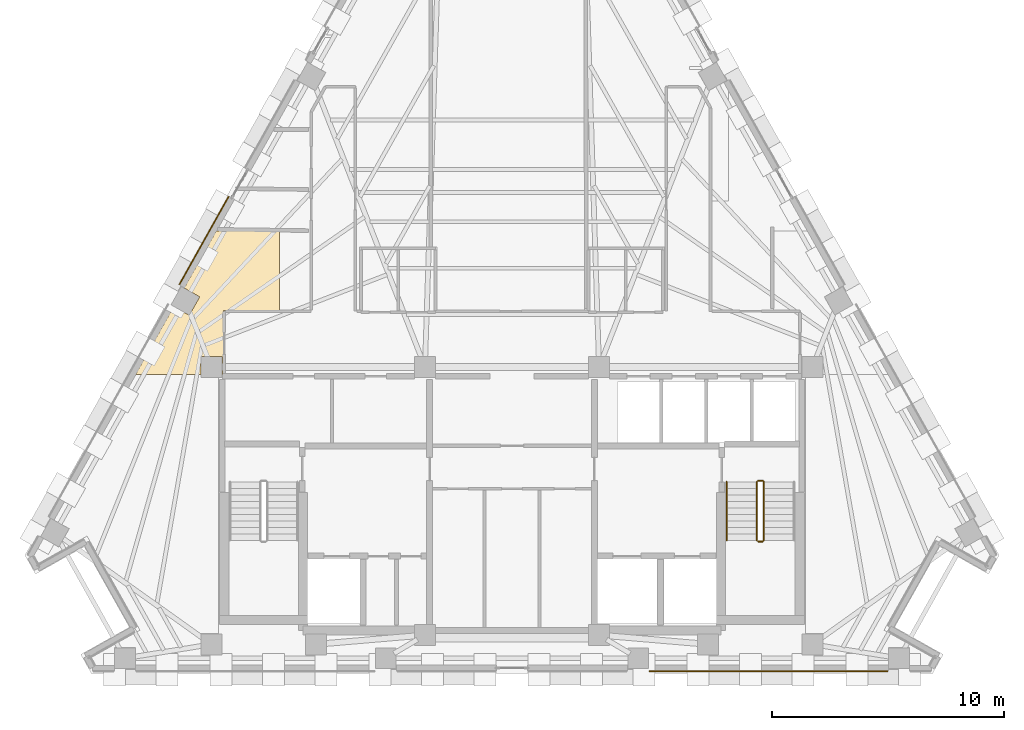
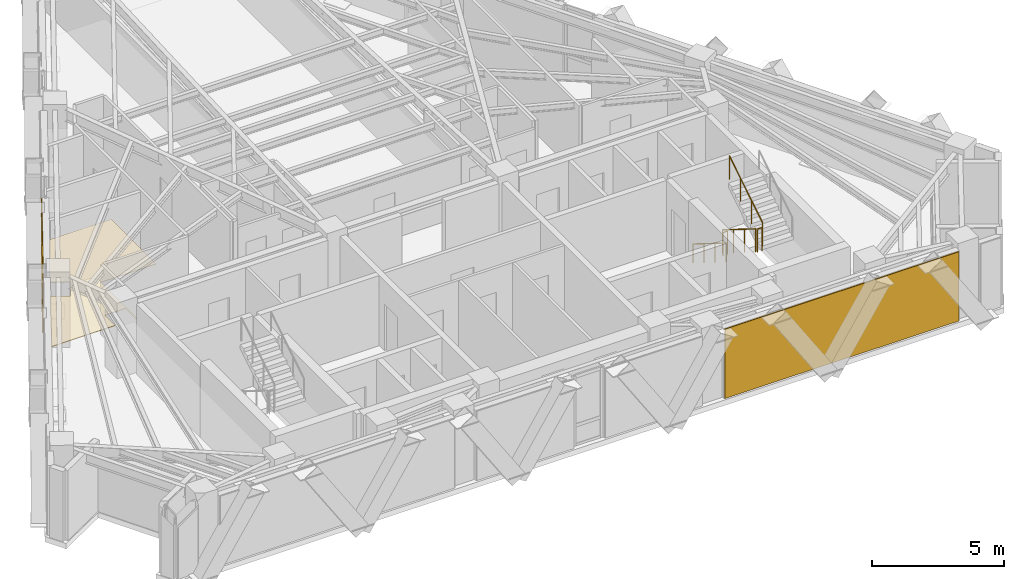
# One storey, part 11 of 12: 5 railings, 3 coverings.
"""IFC4 building model written with IfcOpenShell, lengths in metres."""

from ifc_helpers import new_model, si_unit, direction, frame, origin, origin_2d, place, context, subcontext, project, spatial, polyline, circle, outline, extrude, material, layer, layer_set, type_object, element, save


model = new_model("IFC4")

# Units and contexts
model_context = context("Model", 3, precision=1e-05, world=origin(), true_north=direction((0.0, 1.0)))
body_context = subcontext(model_context, "Body", "Model", "MODEL_VIEW")
ifc_project = project(units=[si_unit("LENGTHUNIT", "METRE"), si_unit("AREAUNIT", "SQUARE_METRE"), si_unit("VOLUMEUNIT", "CUBIC_METRE"), si_unit("PLANEANGLEUNIT", "RADIAN"), si_unit("MASSUNIT", "GRAM", prefix="KILO")], contexts=[model_context])

# Site, building, storey
site_placement = place(None, origin())
site = spatial("IfcSite", under=ifc_project, at=site_placement, CompositionType="ELEMENT")
building_placement = place(site_placement, origin())
building = spatial("IfcBuilding", under=site, at=building_placement, Name="Quenlor Broadcast Tower", CompositionType="ELEMENT")
storey_placement = place(building_placement, frame((0.0, 0.0, 200.89990234375)))
storey = spatial("IfcBuildingStorey", under=building, at=storey_placement, Name="L55", CompositionType="ELEMENT", Elevation=200.89990234375)

# Coverings
ifc_material_1 = material(Name="Acoustic Mineral Fibre Board", Category="other")
ifc_layer_1 = layer(ifc_material_1, 0.02490234375)
ifc_layer_set_1 = layer_set([ifc_layer_1], Name="Acoustic Perforated Mineral Tile Ceiling 25")
covering_type_1 = type_object("IfcCoveringType", Name="Acoustic Perforated Mineral Tile Ceiling 25", PredefinedType="CEILING", material=ifc_layer_set_1)
covering_1_placement = place(storey_placement, frame((0.0, 0.0, 2.375)))
element("IfcCovering", 1, at=covering_1_placement, inside=storey, type_object=covering_type_1, Name="L55 Acoustic Ceiling L55-32", PredefinedType="CEILING", context=body_context, shape_type="SweptSolid", body=[
    extrude(outline(polyline([(-12.491943359375, -4.342041015625), (-13.407958984375, -4.342041015625), (-13.407958984375, -5.1201171875), (-16.21484375, -5.1201171875), (-14.572021484375, -2.199462890625), (-13.90283203125, -2.575927734375), (-13.45361328125, -1.777587890625), (-14.123046875, -1.401123046875), (-12.744873046875, 1.049072265625), (-10.013671875, 1.049072265625), (-10.013671875, -2.3701171875), (-12.43994140625, -2.3701171875), (-12.43994140625, -5.1201171875), (-12.491943359375, -5.1201171875), (-12.491943359375, -4.342041015625)])), origin(), (0.0, 0.0, 1.0), 0.025146484375),
])
ifc_material_2 = material(Name="Architectural Terracotta Ceramic", Category="masonry")
ifc_layer_2 = layer(ifc_material_2, 0.044921875)
ifc_layer_set_2 = layer_set([ifc_layer_2], Name="Fluted Terracotta Rainscreen Cladding Panel")
covering_type_2 = type_object("IfcCoveringType", Name="Fluted Terracotta Rainscreen Cladding Panel", PredefinedType="CLADDING", material=ifc_layer_set_2)
covering_2_placement = place(storey_placement, frame((0.0, 0.0, 0.02001953125)))
element("IfcCovering", 2, at=covering_2_placement, inside=storey, type_object=covering_type_2, Name="L55 Terracotta Rainscreen Cladding L55-EW-SA", PredefinedType="CLADDING", context=body_context, shape_type="SweptSolid", body=[
    extrude(outline(polyline([(16.19091796875, -17.89697265625), (5.9228515625, -17.89697265625), (5.9228515625, -17.94189453125), (16.19091796875, -17.94189453125), (16.19091796875, -17.89697265625)])), origin(), (0.0, 0.0, 1.0), 3.2099609375),
])
covering_3_placement = place(storey_placement, frame((0.0, 0.0, 0.02001953125)))
element("IfcCovering", 3, at=covering_3_placement, inside=storey, type_object=covering_type_2, Name="L55 Terracotta Rainscreen Cladding L55-NW-SP1", PredefinedType="CLADDING", context=body_context, shape_type="SweptSolid", body=[
    extrude(outline(polyline([(-14.30908203125, -1.248291015625), (-12.187255859375, 2.523681640625), (-12.2265625, 2.5458984375), (-14.34814453125, -1.226318359375), (-14.30908203125, -1.248291015625)])), origin(), (0.0, 0.0, 1.0), 3.2099609375),
])

# Railings
ifc_material_3 = material(Name="Anodised Aluminium", Category="aluminium")
railing_type_1 = type_object("IfcRailingType", Name="Stainless Aluminium Wall Handrail 900", PredefinedType="HANDRAIL", material=ifc_material_3)
railing_1_placement = place(storey_placement, frame((9.25, -9.75, 0.175048828125)))
element("IfcRailing", 4, at=railing_1_placement, inside=storey, type_object=railing_type_1, Name="L55 ST-2 stair handrail 1", PredefinedType="HANDRAIL", context=body_context, shape_type="SweptSolid", body=[
    extrude(circle(Radius=0.02392578125, at=origin_2d()), frame((0.0, 0.0, 0.8759765625), z_axis=(0.0, -0.848007534815, 0.529984170421), x_axis=(1.0, 0.0, 0.0)), (0.0, 0.0, 1.0), 2.9716796875),
    extrude(circle(Radius=0.02099609375, at=origin_2d()), origin(), (0.0, 0.0, 1.0), 0.851806640625),
    extrude(circle(Radius=0.02099609375, at=origin_2d()), frame((0.0, -0.840087890625, 0.52490234375)), (0.0, 0.0, 1.0), 0.851806640625),
    extrude(circle(Radius=0.02099609375, at=origin_2d()), frame((0.0, -1.679931640625, 1.050048828125)), (0.0, 0.0, 1.0), 0.851806640625),
    extrude(circle(Radius=0.02099609375, at=origin_2d()), frame((0.0, -2.52001953125, 1.574951171875)), (0.0, 0.0, 1.0), 0.851806640625),
])
ifc_material_4 = material(Name="Steel S355", Category="steel")
railing_type_2 = type_object("IfcRailingType", Name="Tubular Steel S355 Stair Guardrail 1100", PredefinedType="BALUSTRADE", material=ifc_material_4)
railing_2_placement = place(storey_placement, frame((10.550048828125, -9.75, 0.175048828125)))
element("IfcRailing", 5, at=railing_2_placement, inside=storey, type_object=railing_type_2, Name="L55 ST-2 stair guard 1", PredefinedType="BALUSTRADE", context=body_context, shape_type="SweptSolid", body=[
    extrude(circle(Radius=0.02392578125, at=origin_2d()), frame((0.0, 0.0, 1.076171875), z_axis=(0.0, -0.848007534815, 0.529984170421), x_axis=(1.0, 0.0, 0.0)), (0.0, 0.0, 1.0), 2.9716796875),
    extrude(circle(Radius=0.02099609375, at=origin_2d()), origin(), (0.0, 0.0, 1.0), 1.052001953125),
    extrude(circle(Radius=0.02099609375, at=origin_2d()), frame((0.0, -0.840087890625, 0.52490234375)), (0.0, 0.0, 1.0), 1.052001953125),
    extrude(circle(Radius=0.02099609375, at=origin_2d()), frame((0.0, -1.679931640625, 1.050048828125)), (0.0, 0.0, 1.0), 1.052001953125),
    extrude(circle(Radius=0.02099609375, at=origin_2d()), frame((0.0, -2.52001953125, 1.574951171875)), (0.0, 0.0, 1.0), 1.052001953125),
])
railing_3_placement = place(storey_placement, frame((10.60009765625, -12.320068359375, 1.75)))
element("IfcRailing", 6, at=railing_3_placement, inside=storey, type_object=railing_type_2, Name="L55 ST-2 stair guard 2", PredefinedType="BALUSTRADE", context=body_context, shape_type="SweptSolid", body=[
    extrude(circle(Radius=0.02392578125, at=origin_2d()), frame((0.0, 0.0, 1.076171875), z_axis=(1.0, 0.0, 0.0), x_axis=(0.0, 1.0, 0.0)), (0.0, 0.0, 1.0), 0.199951171875),
    extrude(circle(Radius=0.02099609375, at=origin_2d()), origin(), (0.0, 0.0, 1.0), 1.052001953125),
    extrude(circle(Radius=0.02099609375, at=origin_2d()), frame((0.199951171875, 0.0, 0.0)), (0.0, 0.0, 1.0), 1.052001953125),
])
railing_4_placement = place(storey_placement, frame((10.85009765625, -12.27001953125, 1.925048828125)))
element("IfcRailing", 7, at=railing_4_placement, inside=storey, type_object=railing_type_2, Name="L55 ST-2 stair guard 3", PredefinedType="BALUSTRADE", context=body_context, shape_type="SweptSolid", body=[
    extrude(circle(Radius=0.02392578125, at=origin_2d()), frame((0.0, 0.0, 1.076171875), z_axis=(0.0, 0.848007534815, 0.529984170421), x_axis=(-1.0, 0.0, 0.0)), (0.0, 0.0, 1.0), 2.9716796875),
    extrude(circle(Radius=0.02099609375, at=origin_2d()), origin(), (0.0, 0.0, 1.0), 1.052001953125),
    extrude(circle(Radius=0.02099609375, at=origin_2d()), frame((0.0, 0.840087890625, 0.52490234375)), (0.0, 0.0, 1.0), 1.052001953125),
    extrude(circle(Radius=0.02099609375, at=origin_2d()), frame((0.0, 1.679931640625, 1.050048828125)), (0.0, 0.0, 1.0), 1.052001953125),
    extrude(circle(Radius=0.02099609375, at=origin_2d()), frame((0.0, 2.52001953125, 1.574951171875)), (0.0, 0.0, 1.0), 1.052001953125),
])
railing_5_placement = place(storey_placement, frame((10.60009765625, -9.699951171875, 0.0)))
element("IfcRailing", 8, at=railing_5_placement, inside=storey, type_object=railing_type_2, Name="L55 ST-2 stair guard 4", PredefinedType="BALUSTRADE", context=body_context, shape_type="SweptSolid", body=[
    extrude(circle(Radius=0.02392578125, at=origin_2d()), frame((0.0, 0.0, 1.076171875), z_axis=(1.0, 0.0, 0.0), x_axis=(0.0, 1.0, 0.0)), (0.0, 0.0, 1.0), 0.199951171875),
    extrude(circle(Radius=0.02099609375, at=origin_2d()), origin(), (0.0, 0.0, 1.0), 1.052001953125),
    extrude(circle(Radius=0.02099609375, at=origin_2d()), frame((0.199951171875, 0.0, 0.0)), (0.0, 0.0, 1.0), 1.052001953125),
])

save(model, "model.ifc")
